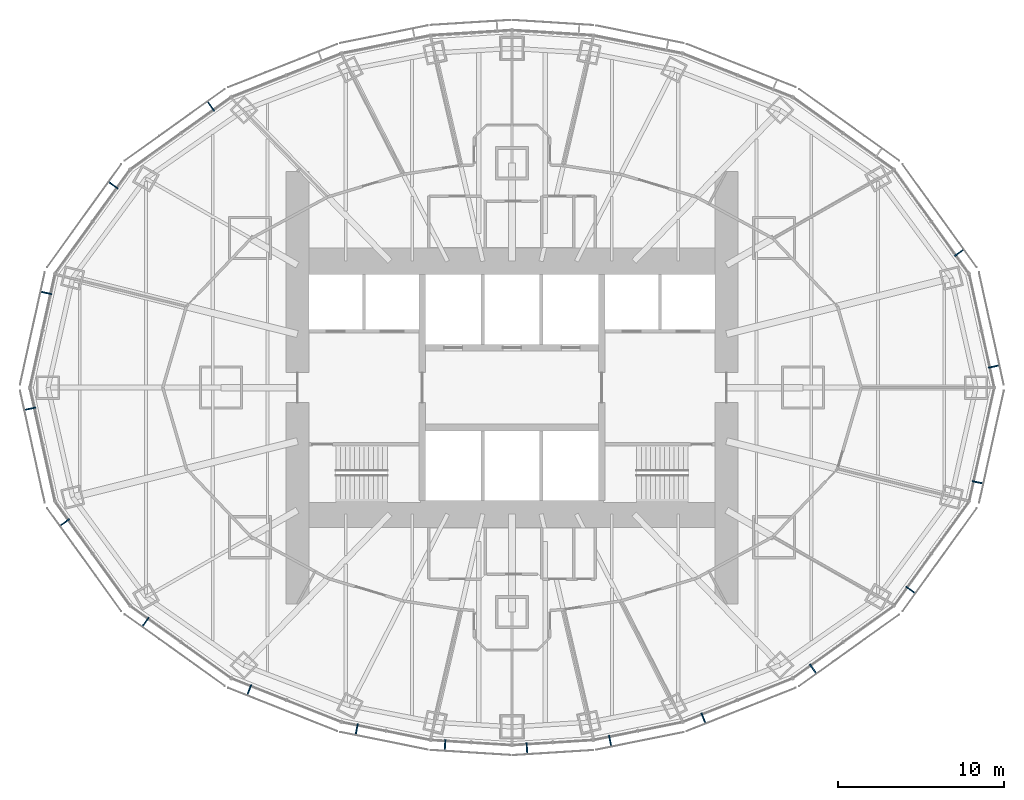
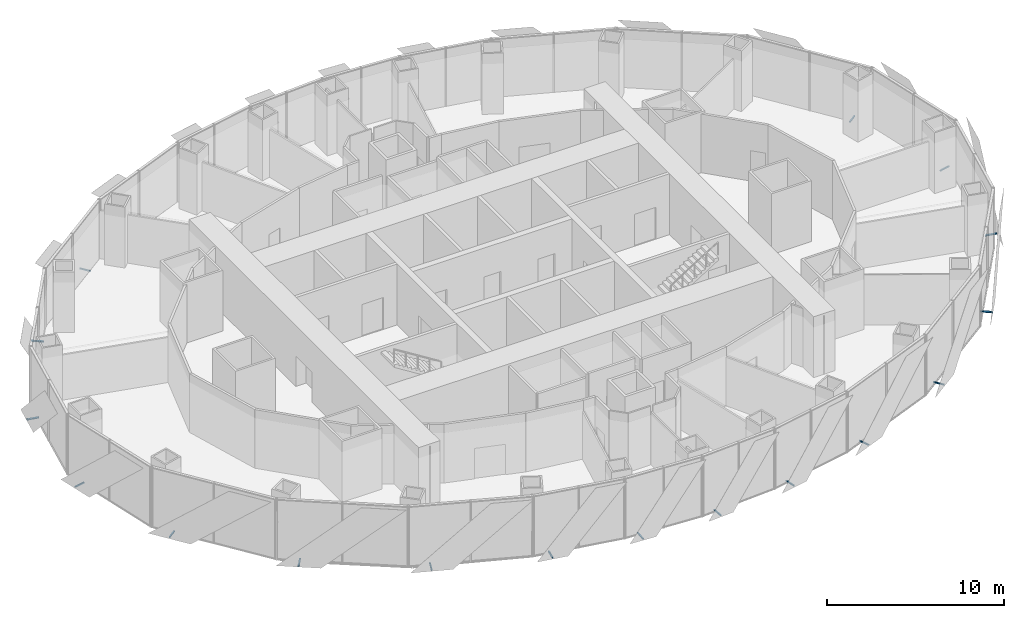
# One storey, part 14 of 18: 17 discrete accessories.
"""IFC4 building model written with IfcOpenShell, lengths in metres."""

from ifc_helpers import new_model, si_unit, direction, frame, origin, origin_2d, place, context, subcontext, project, spatial, rectangle, extrude, element, save


model = new_model("IFC4")

# Units and contexts
model_context = context("Model", 3, precision=1e-05, world=origin(), true_north=direction((0.0, 1.0)))
body_context = subcontext(model_context, "Body", "Model", "MODEL_VIEW")
ifc_project = project(units=[si_unit("LENGTHUNIT", "METRE"), si_unit("AREAUNIT", "SQUARE_METRE"), si_unit("VOLUMEUNIT", "CUBIC_METRE"), si_unit("PLANEANGLEUNIT", "RADIAN"), si_unit("MASSUNIT", "GRAM", prefix="KILO")], contexts=[model_context])

# Site, building, storey
site_placement = place(None, origin())
site = spatial("IfcSite", under=ifc_project, at=site_placement, CompositionType="ELEMENT")
building_placement = place(site_placement, origin())
building = spatial("IfcBuilding", under=site, at=building_placement, Name="Lantaw Convention Tower", CompositionType="ELEMENT")
storey_placement = place(building_placement, frame((0.0, 0.0, 142.60009765625)))
storey = spatial("IfcBuildingStorey", under=building, at=storey_placement, Name="L33", CompositionType="ELEMENT", Elevation=142.60009765625)

# Discrete accessories
for number, where, z_axis, x_axis, name in (
    (1, (28.98486328125, 1.269775390625, -0.115234375), (0.0, 0.0, 1.0), (-0.215546166174, 0.9764936509, 0.0), "Screen bracket"),
    (2, (26.900146484375, 8.111572265625, -0.115234375), (0.0, 0.0, 1.0), (-0.584512597221, 0.811384633629, 0.0), "Screen bracket"),
    (3, (-18.10791015625, 16.922607421875, -0.115234375), (0.0, 0.0, 1.0), (-0.813208325995, -0.581972695693, 0.0), "Screen bracket"),
    (4, (-23.9765625, 12.169677734375, -0.115234375), (0.0, 0.0, 1.0), (-0.584512597221, -0.811384633629, 0.0), "Screen bracket"),
    (5, (-28.008056640625, 5.6953125, -0.115234375), (0.0, 0.0, 1.0), (-0.215546166174, -0.9764936509, 0.0), "Screen bracket"),
    (6, (-28.98486328125, -1.269775390625, -0.115234375), (0.0, 0.0, 1.0), (0.215546166174, -0.9764936509, 0.0), "Screen bracket"),
    (7, (-26.900146484375, -8.111572265625, -0.115234375), (0.0, 0.0, 1.0), (0.584512597221, -0.811384633629, 0.0), "Screen bracket"),
    (8, (-22.044189453125, -14.10546875, -0.115234375), (0.0, 0.0, 1.0), (0.813208325995, -0.581972695693, 0.0), "Screen bracket"),
    (9, (-15.802978515625, -18.18798828125, -0.115234375), (0.0, 0.0, 1.0), (0.929547687544, -0.368701907483, 0.0), "Screen bracket"),
    (10, (-9.339599609375, -20.56005859375, -0.115234375), (0.0, 0.0, 1.0), (0.980301514912, -0.197506809659, 0.0), "Screen bracket"),
    (11, (-4.027099609375, -21.505859375, -0.115234375), (0.0, 0.0, 1.0), (0.998022035978, -0.062865059466, 0.0), "Screen bracket"),
    (12, (0.89794921875, -21.702880859375, -0.115234375), (0.0, 0.0, 1.0), (0.998022035978, 0.062865059466, 0.0), "Screen bracket"),
    (13, (5.903076171875, -21.25244140625, -0.115234375), (0.0, 0.0, 1.0), (0.980301514912, 0.197506809659, 0.0), "Screen bracket"),
    (14, (11.517822265625, -19.887939453125, -0.115234375), (0.0, 0.0, 1.0), (0.929547687544, 0.368701907483, 0.0), "Screen bracket"),
    (15, (18.10791015625, -16.922607421875, -0.115234375), (0.0, 0.0, 1.0), (0.813208325995, 0.581972695693, 0.0), "Screen bracket"),
    (16, (23.9765625, -12.169677734375, -0.115234375), (0.0, 0.0, 1.0), (0.584512597221, 0.811384633629, 0.0), "Screen bracket"),
    (17, (28.008056640625, -5.6953125, -0.115234375), (0.0, 0.0, 1.0), (0.215546166174, 0.9764936509, 0.0), "Screen bracket"),
):
    element("IfcDiscreteAccessory", number, at=place(storey_placement, frame(where, z_axis=z_axis, x_axis=x_axis)), inside=storey, Name=name, PredefinedType="BRACKET", context=body_context, shape_type="SweptSolid", body=[
        extrude(rectangle(XDim=0.080078125, YDim=0.68798828125, at=origin_2d()), origin(), (0.0, 0.0, 1.0), 0.080078125),
    ])

save(model, "model.ifc")
